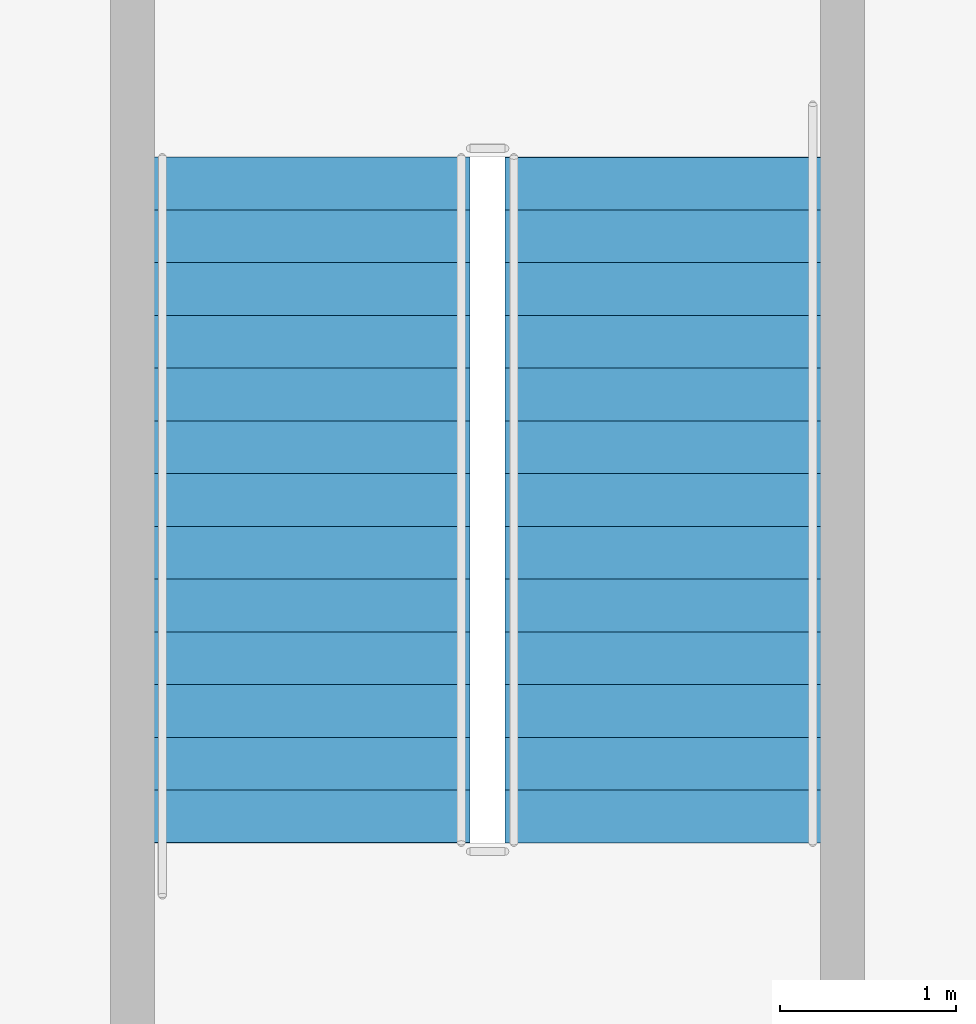
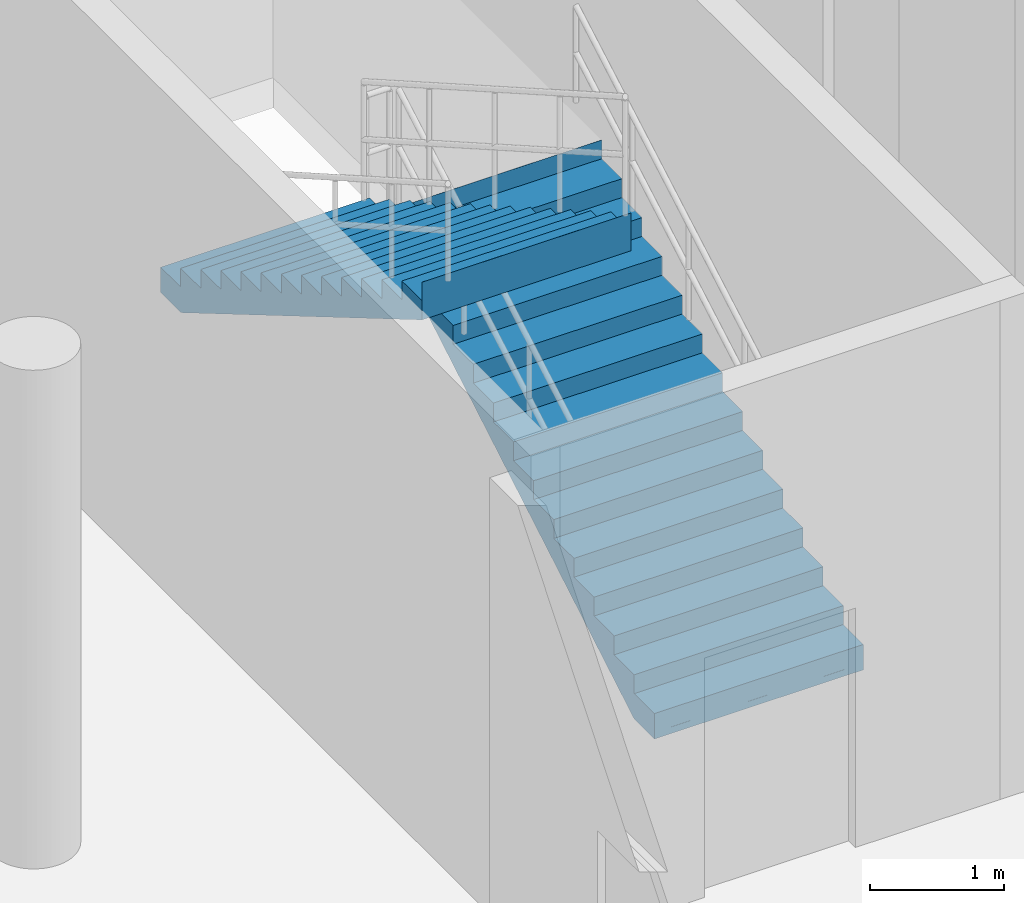
# One storey, part 78 of 93: 2 stair flights, 1 element without a shape of its own.
"""IFC4 building model written with IfcOpenShell, lengths in metres."""

from ifc_helpers import new_model, si_unit, direction, frame, origin, place, context, subcontext, project, spatial, polyline, outline, extrude, material, type_object, element, aggregate, save


model = new_model("IFC4")

# Units and contexts
model_context = context("Model", 3, precision=1e-05, world=origin(), true_north=direction((0.0, 1.0)))
body_context = subcontext(model_context, "Body", "Model", "MODEL_VIEW")
ifc_project = project(units=[si_unit("LENGTHUNIT", "METRE"), si_unit("AREAUNIT", "SQUARE_METRE"), si_unit("VOLUMEUNIT", "CUBIC_METRE"), si_unit("PLANEANGLEUNIT", "RADIAN"), si_unit("MASSUNIT", "GRAM", prefix="KILO")], contexts=[model_context])

# Site, building, storey
site_placement = place(None, origin())
site = spatial("IfcSite", under=ifc_project, at=site_placement, CompositionType="ELEMENT")
building_placement = place(site_placement, origin())
building = spatial("IfcBuilding", under=site, at=building_placement, Name="Marnock Terrace Opera House", CompositionType="ELEMENT")
storey_placement = place(building_placement, frame((0.0, 0.0, 5.39990234375)))
storey = spatial("IfcBuildingStorey", under=building, at=storey_placement, Name="L01", CompositionType="ELEMENT", Elevation=5.39990234375)

# Stair, stair flights
ifc_material = material(Name="Concrete N40 (f'c = 40 MPa)", Category="concrete")
stair_type = type_object("IfcStairType", Name="ST-TYPE-2000", PredefinedType="HALF_TURN_STAIR", material=ifc_material)
stair_placement = place(storey_placement, origin())
stair = element("IfcStair", 1, at=stair_placement, inside=storey, type_object=stair_type, Name="L01 ST-08", PredefinedType="HALF_TURN_STAIR")
stair_flight_type = type_object("IfcStairFlightType", Name="FLT-TYPE-2000", PredefinedType="STRAIGHT", material=ifc_material)
stair_flight_1_placement = place(storey_placement, frame((141.6201171875, 73.919921875, 0.0), z_axis=(0.0, 0.0, 1.0), x_axis=(0.0, 1.0, 0.0)))
stair_flight_1 = element("IfcStairFlight", 2, at=stair_flight_1_placement, type_object=stair_flight_type, Name="ST-08 flight 1", NumberOfRisers=14, NumberOfTreads=13, PredefinedType="STRAIGHT", RiserHeight=0.171428571, TreadLength=0.3, context=body_context, shape_type="SweptSolid", body=[
    extrude(outline(polyline([(-0.00048828125, -0.06005859375), (-0.00048828125, 0.0), (0.0, 0.0), (0.0, 0.17138671875), (0.300048828125, 0.17138671875), (0.300048828125, 0.3427734375), (0.60009765625, 0.3427734375), (0.60009765625, 0.514404296875), (0.89990234375, 0.514404296875), (0.89990234375, 0.685791015625), (1.199951171875, 0.685791015625), (1.199951171875, 0.857177734375), (1.5, 0.857177734375), (1.5, 1.028564453125), (1.800048828125, 1.028564453125), (1.800048828125, 1.199951171875), (2.10009765625, 1.199951171875), (2.10009765625, 1.371337890625), (2.39990234375, 1.371337890625), (2.39990234375, 1.54296875), (2.699951171875, 1.54296875), (2.699951171875, 1.71435546875), (3.0, 1.71435546875), (3.0, 1.8857421875), (3.300048828125, 1.8857421875), (3.300048828125, 2.05712890625), (3.60009765625, 2.05712890625), (3.60009765625, 2.228515625), (3.89990234375, 2.228515625), (3.89990234375, 2.39990234375), (3.900390625, 2.39990234375), (3.900390625, 2.055908203125), (3.89990234375, 2.055908203125), (0.30224609375, -0.06005859375), (-0.00048828125, -0.06005859375)])), frame((0.0, 0.89990234375, 0.0), z_axis=(0.0, -1.0, 0.0), x_axis=(1.0, 0.0, 0.0)), (0.0, 0.0, 1.0), 1.800048828125),
])
stair_flight_2_placement = place(storey_placement, frame((139.6201171875, 77.820068359375, 2.400146484375), z_axis=(0.0, 0.0, 1.0), x_axis=(0.0, -1.0, 0.0)))
stair_flight_2 = element("IfcStairFlight", 3, at=stair_flight_2_placement, type_object=stair_flight_type, Name="ST-08 flight 2", NumberOfRisers=14, NumberOfTreads=13, PredefinedType="STRAIGHT", RiserHeight=0.171428571, TreadLength=0.3, context=body_context, shape_type="SweptSolid", body=[
    extrude(outline(polyline([(-0.00048828125, -0.06005859375), (-0.00048828125, 0.0), (0.0, 0.0), (0.0, 0.17138671875), (0.300048828125, 0.17138671875), (0.300048828125, 0.3427734375), (0.60009765625, 0.3427734375), (0.60009765625, 0.514404296875), (0.89990234375, 0.514404296875), (0.89990234375, 0.685791015625), (1.199951171875, 0.685791015625), (1.199951171875, 0.857177734375), (1.5, 0.857177734375), (1.5, 1.028564453125), (1.800048828125, 1.028564453125), (1.800048828125, 1.199951171875), (2.10009765625, 1.199951171875), (2.10009765625, 1.371337890625), (2.39990234375, 1.371337890625), (2.39990234375, 1.54296875), (2.699951171875, 1.54296875), (2.699951171875, 1.71435546875), (3.0, 1.71435546875), (3.0, 1.8857421875), (3.300048828125, 1.8857421875), (3.300048828125, 2.05712890625), (3.60009765625, 2.05712890625), (3.60009765625, 2.228515625), (3.89990234375, 2.228515625), (3.89990234375, 2.39990234375), (3.900390625, 2.39990234375), (3.900390625, 2.055908203125), (3.89990234375, 2.055908203125), (0.30224609375, -0.06005859375), (-0.00048828125, -0.06005859375)])), frame((0.0, 0.89990234375, 0.0), z_axis=(0.0, -1.0, 0.0), x_axis=(1.0, 0.0, 0.0)), (0.0, 0.0, 1.0), 1.800048828125),
])
aggregate(stair, [stair_flight_1, stair_flight_2])

save(model, "model.ifc")
